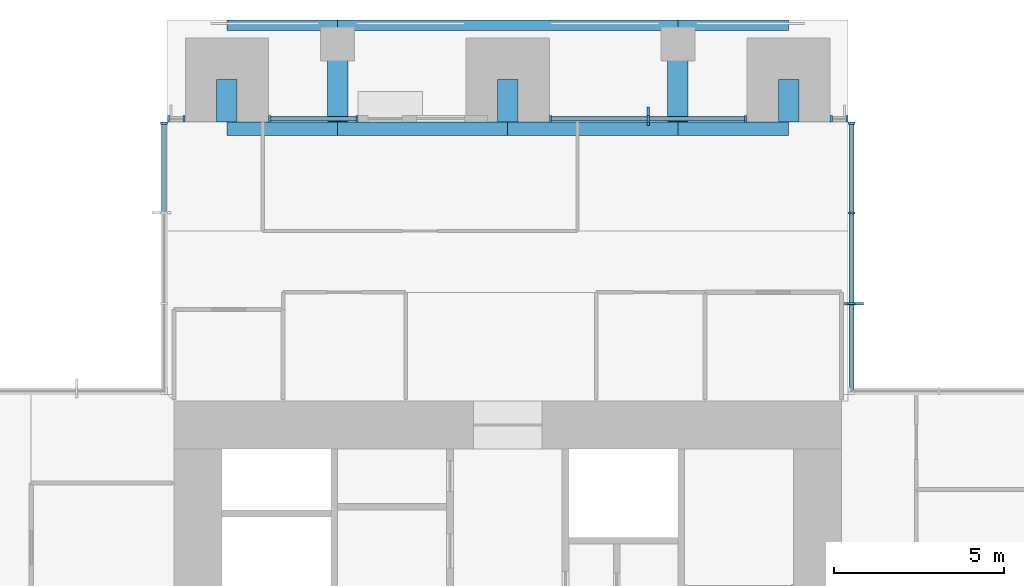
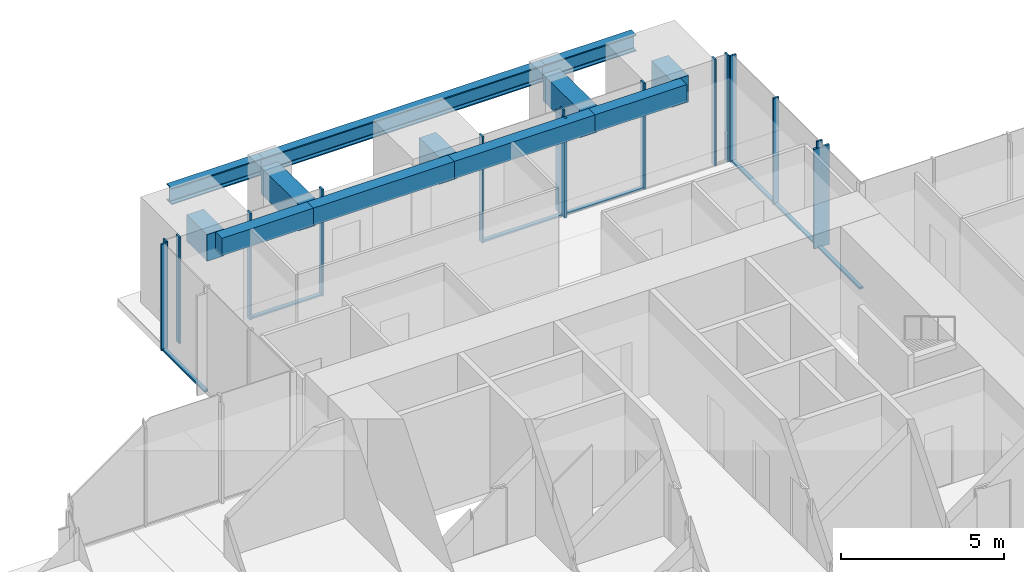
# One storey, part 5 of 17: 22 members, 12 beams, 6 elements without a shape of their own.
"""IFC4 building model written with IfcOpenShell, lengths in metres."""

from ifc_helpers import new_model, si_unit, direction, frame, origin, origin_2d, place, context, subcontext, project, spatial, rectangle, i_section, extrude, material, material_profile, profile_set, type_object, element, aggregate, save


model = new_model("IFC4")

# Units and contexts
model_context = context("Model", 3, precision=1e-05, world=origin(), true_north=direction((0.0, 1.0)))
body_context = subcontext(model_context, "Body", "Model", "MODEL_VIEW")
ifc_project = project(units=[si_unit("LENGTHUNIT", "METRE"), si_unit("AREAUNIT", "SQUARE_METRE"), si_unit("VOLUMEUNIT", "CUBIC_METRE"), si_unit("PLANEANGLEUNIT", "RADIAN"), si_unit("MASSUNIT", "GRAM", prefix="KILO")], contexts=[model_context])

# Site, building, storey
site_placement = place(None, origin())
site = spatial("IfcSite", under=ifc_project, at=site_placement, CompositionType="ELEMENT")
building_placement = place(site_placement, origin())
building = spatial("IfcBuilding", under=site, at=building_placement, Name="Svetlomir Tower", CompositionType="ELEMENT")
storey_placement = place(building_placement, frame((0.0, 0.0, 182.5)))
storey = spatial("IfcBuildingStorey", under=building, at=storey_placement, Name="L43", CompositionType="ELEMENT", Elevation=182.5)

# Curtain wall, member
ifc_material_1 = material(Name="Bronze anodised aluminium curtain wall", Category="aluminium")
curtain_wall_type = type_object("IfcCurtainWallType", Name="CURTAIN WALL CW1 TOWER OFFICE", PredefinedType="NOTDEFINED", material=ifc_material_1)
curtain_wall_1_placement = place(storey_placement, origin())
curtain_wall_1 = element("IfcCurtainWall", 1, at=curtain_wall_1_placement, inside=storey, type_object=curtain_wall_type, Name="Curtain wall CW1 L43", PredefinedType="NOTDEFINED")
ifc_material_2 = material(Name="Bronze anodised aluminium", Category="aluminium")
ifc_material_profile_1 = material_profile(ifc_material_2, rectangle(XDim=0.080078125, YDim=0.550048828125, at=origin_2d()), Name="FIN 80x550")
ifc_profile_set_1 = profile_set([ifc_material_profile_1], Name="Bronze anodised aluminium 6063-T6")
member_type_1 = type_object("IfcMemberType", Name="BRONZE FIN 80x550", PredefinedType="USERDEFINED", material=ifc_profile_set_1)
member_1_placement = place(storey_placement, frame((31.175048828125, 33.666748046875, 0.0), z_axis=(0.0, 0.0, 1.0), x_axis=(0.0, 1.0, 0.0)))
member_1 = element("IfcMember", 2, at=member_1_placement, type_object=member_type_1, Name="Bronze fin L43", ObjectType="FIN", PredefinedType="USERDEFINED", context=body_context, shape_type="SweptSolid", body=[
    extrude(rectangle(XDim=0.080078125, YDim=0.550048828125, at=origin_2d()), origin(), (0.0, 0.0, 1.0), 3.75),
])

curtain_wall_2_placement = place(storey_placement, origin())
curtain_wall_2 = element("IfcCurtainWall", 3, at=curtain_wall_2_placement, inside=storey, type_object=curtain_wall_type, Name="Curtain wall CW1 L43", PredefinedType="NOTDEFINED")
member_2_placement = place(storey_placement, frame((25.125, 39.175048828125, 0.0), z_axis=(0.0, 0.0, 1.0), x_axis=(1.0, 0.0, 0.0)))
member_2 = element("IfcMember", 4, at=member_2_placement, type_object=member_type_1, Name="Bronze fin L43", ObjectType="FIN", PredefinedType="USERDEFINED", context=body_context, shape_type="SweptSolid", body=[
    extrude(rectangle(XDim=0.080078125, YDim=0.550048828125, at=origin_2d()), origin(), (0.0, 0.0, 1.0), 3.75),
])

# Member
ifc_material_3 = material(Name="Bronze anodised aluminium", Category="aluminium")
ifc_material_profile_2 = material_profile(ifc_material_3, rectangle(XDim=0.06494140625, YDim=0.199951171875, at=origin_2d()), Name="AL 65x200")
ifc_profile_set_2 = profile_set([ifc_material_profile_2], Name="Bronze anodised aluminium 6063-T6")
member_type_2 = type_object("IfcMemberType", Name="CW1 MULLION 65x200", PredefinedType="MULLION", material=ifc_profile_set_2)
member_3_placement = place(storey_placement, frame((31.10009765625, 33.666748046875, 0.0), z_axis=(0.0, 0.0, 1.0), x_axis=(0.0, 1.0, 0.0)))
member_3 = element("IfcMember", 5, at=member_3_placement, type_object=member_type_2, Name="CW1 mullion 2", PredefinedType="MULLION", context=body_context, shape_type="SweptSolid", body=[
    extrude(rectangle(XDim=0.06494140625, YDim=0.199951171875, at=origin_2d()), origin(), (0.0, 0.0, 1.0), 4.0),
])

member_4_placement = place(storey_placement, frame((31.10009765625, 36.333251953125, 0.0), z_axis=(0.0, 0.0, 1.0), x_axis=(0.0, 1.0, 0.0)))
member_4 = element("IfcMember", 6, at=member_4_placement, type_object=member_type_2, Name="CW1 mullion 3", PredefinedType="MULLION", context=body_context, shape_type="SweptSolid", body=[
    extrude(rectangle(XDim=0.06494140625, YDim=0.199951171875, at=origin_2d()), origin(), (0.0, 0.0, 1.0), 4.0),
])

member_5_placement = place(storey_placement, frame((31.10009765625, 38.967529296875, 0.0), z_axis=(0.0, 0.0, 1.0), x_axis=(0.0, 1.0, 0.0)))
member_5 = element("IfcMember", 7, at=member_5_placement, type_object=member_type_2, Name="CW1 mullion 4", PredefinedType="MULLION", context=body_context, shape_type="SweptSolid", body=[
    extrude(rectangle(XDim=0.06494140625, YDim=0.199951171875, at=origin_2d()), origin(), (0.0, 0.0, 1.0), 4.0),
])

# Curtain wall, members
curtain_wall_3_placement = place(storey_placement, origin())
curtain_wall_3 = element("IfcCurtainWall", 8, at=curtain_wall_3_placement, inside=storey, type_object=curtain_wall_type, Name="Curtain wall CW1 L43", PredefinedType="NOTDEFINED")
member_6_placement = place(storey_placement, frame((30.967529296875, 39.10009765625, 0.0), z_axis=(0.0, 0.0, 1.0), x_axis=(-1.0, 0.0, 0.0)))
member_6 = element("IfcMember", 9, at=member_6_placement, type_object=member_type_2, Name="CW1 mullion 1", PredefinedType="MULLION", context=body_context, shape_type="SweptSolid", body=[
    extrude(rectangle(XDim=0.06494140625, YDim=0.199951171875, at=origin_2d()), origin(), (0.0, 0.0, 1.0), 4.0),
])
member_7_placement = place(storey_placement, frame((30.507568359375, 39.10009765625, 0.0), z_axis=(0.0, 0.0, 1.0), x_axis=(-1.0, 0.0, 0.0)))
member_7 = element("IfcMember", 10, at=member_7_placement, type_object=member_type_2, Name="CW1 mullion 2", PredefinedType="MULLION", context=body_context, shape_type="SweptSolid", body=[
    extrude(rectangle(XDim=0.06494140625, YDim=0.199951171875, at=origin_2d()), origin(), (0.0, 0.0, 1.0), 4.0),
])
aggregate(curtain_wall_3, [member_6, member_7])

# Member
member_8_placement = place(storey_placement, frame((27.992431640625, 39.10009765625, 0.0), z_axis=(0.0, 0.0, 1.0), x_axis=(-1.0, 0.0, 0.0)))
member_8 = element("IfcMember", 11, at=member_8_placement, type_object=member_type_2, Name="CW1 mullion 1", PredefinedType="MULLION", context=body_context, shape_type="SweptSolid", body=[
    extrude(rectangle(XDim=0.06494140625, YDim=0.199951171875, at=origin_2d()), origin(), (0.0, 0.0, 1.0), 4.0),
])

member_9_placement = place(storey_placement, frame((25.125, 39.10009765625, 0.0), z_axis=(0.0, 0.0, 1.0), x_axis=(-1.0, 0.0, 0.0)))
member_9 = element("IfcMember", 12, at=member_9_placement, type_object=member_type_2, Name="CW1 mullion 2", PredefinedType="MULLION", context=body_context, shape_type="SweptSolid", body=[
    extrude(rectangle(XDim=0.06494140625, YDim=0.199951171875, at=origin_2d()), origin(), (0.0, 0.0, 1.0), 4.0),
])

member_10_placement = place(storey_placement, frame((22.257568359375, 39.10009765625, 0.0), z_axis=(0.0, 0.0, 1.0), x_axis=(-1.0, 0.0, 0.0)))
member_10 = element("IfcMember", 13, at=member_10_placement, type_object=member_type_2, Name="CW1 mullion 3", PredefinedType="MULLION", context=body_context, shape_type="SweptSolid", body=[
    extrude(rectangle(XDim=0.06494140625, YDim=0.199951171875, at=origin_2d()), origin(), (0.0, 0.0, 1.0), 4.0),
])

# Curtain wall, members
curtain_wall_4_placement = place(storey_placement, origin())
curtain_wall_4 = element("IfcCurtainWall", 14, at=curtain_wall_4_placement, inside=storey, type_object=curtain_wall_type, Name="Curtain wall CW1 L43", PredefinedType="NOTDEFINED")
member_11_placement = place(storey_placement, frame((16.5673828125, 39.10009765625, 0.0), z_axis=(0.0, 0.0, 1.0), x_axis=(-1.0, 0.0, 0.0)))
member_11 = element("IfcMember", 15, at=member_11_placement, type_object=member_type_2, Name="CW1 mullion 1", PredefinedType="MULLION", context=body_context, shape_type="SweptSolid", body=[
    extrude(rectangle(XDim=0.06494140625, YDim=0.199951171875, at=origin_2d()), origin(), (0.0, 0.0, 1.0), 4.0),
])
member_12_placement = place(storey_placement, frame((14.007568359375, 39.10009765625, 0.0), z_axis=(0.0, 0.0, 1.0), x_axis=(-1.0, 0.0, 0.0)))
member_12 = element("IfcMember", 16, at=member_12_placement, type_object=member_type_2, Name="CW1 mullion 2", PredefinedType="MULLION", context=body_context, shape_type="SweptSolid", body=[
    extrude(rectangle(XDim=0.06494140625, YDim=0.199951171875, at=origin_2d()), origin(), (0.0, 0.0, 1.0), 4.0),
])

curtain_wall_5_placement = place(storey_placement, origin())
curtain_wall_5 = element("IfcCurtainWall", 17, at=curtain_wall_5_placement, inside=storey, type_object=curtain_wall_type, Name="Curtain wall CW1 L43", PredefinedType="NOTDEFINED")
member_13_placement = place(storey_placement, frame((11.492431640625, 39.10009765625, 0.0), z_axis=(0.0, 0.0, 1.0), x_axis=(-1.0, 0.0, 0.0)))
member_13 = element("IfcMember", 18, at=member_13_placement, type_object=member_type_2, Name="CW1 mullion 1", PredefinedType="MULLION", context=body_context, shape_type="SweptSolid", body=[
    extrude(rectangle(XDim=0.06494140625, YDim=0.199951171875, at=origin_2d()), origin(), (0.0, 0.0, 1.0), 4.0),
])
member_14_placement = place(storey_placement, frame((11.032470703125, 39.10009765625, 0.0), z_axis=(0.0, 0.0, 1.0), x_axis=(-1.0, 0.0, 0.0)))
member_14 = element("IfcMember", 19, at=member_14_placement, type_object=member_type_2, Name="CW1 mullion 2", PredefinedType="MULLION", context=body_context, shape_type="SweptSolid", body=[
    extrude(rectangle(XDim=0.06494140625, YDim=0.199951171875, at=origin_2d()), origin(), (0.0, 0.0, 1.0), 4.0),
])
aggregate(curtain_wall_5, [member_13, member_14])

# Curtain wall, member
curtain_wall_6_placement = place(storey_placement, origin())
curtain_wall_6 = element("IfcCurtainWall", 20, at=curtain_wall_6_placement, inside=storey, type_object=curtain_wall_type, Name="Curtain wall CW1 L43", PredefinedType="NOTDEFINED")
member_15_placement = place(storey_placement, frame((10.89990234375, 38.967529296875, 0.0), z_axis=(0.0, 0.0, 1.0), x_axis=(0.0, -1.0, 0.0)))
member_15 = element("IfcMember", 21, at=member_15_placement, type_object=member_type_2, Name="CW1 mullion 1", PredefinedType="MULLION", context=body_context, shape_type="SweptSolid", body=[
    extrude(rectangle(XDim=0.06494140625, YDim=0.199951171875, at=origin_2d()), origin(), (0.0, 0.0, 1.0), 4.0),
])

# Member
ifc_material_4 = material(Name="Bronze anodised aluminium", Category="aluminium")
ifc_material_profile_3 = material_profile(ifc_material_4, rectangle(XDim=0.139892578125, YDim=0.06494140625, at=origin_2d()), Name="AL 140x65")
ifc_profile_set_3 = profile_set([ifc_material_profile_3], Name="Bronze anodised aluminium 6063-T6")
member_type_3 = type_object("IfcMemberType", Name="CW1 TRANSOM 65x140", PredefinedType="USERDEFINED", material=ifc_profile_set_3)
member_16_placement = place(storey_placement, frame((31.10009765625, 31.06494140625, 0.032470703125), z_axis=(0.0, 1.0, 0.0), x_axis=(-1.0, 0.0, 0.0)))
member_16 = element("IfcMember", 22, at=member_16_placement, type_object=member_type_3, Name="CW1 transom 1.1", ObjectType="TRANSOM", PredefinedType="USERDEFINED", context=body_context, shape_type="SweptSolid", body=[
    extrude(rectangle(XDim=0.139892578125, YDim=0.06494140625, at=origin_2d()), origin(), (0.0, 0.0, 1.0), 2.5693359375),
])

member_17_placement = place(storey_placement, frame((31.10009765625, 33.69921875, 0.032470703125), z_axis=(0.0, 1.0, 0.0), x_axis=(-1.0, 0.0, 0.0)))
member_17 = element("IfcMember", 23, at=member_17_placement, type_object=member_type_3, Name="CW1 transom 2.1", ObjectType="TRANSOM", PredefinedType="USERDEFINED", context=body_context, shape_type="SweptSolid", body=[
    extrude(rectangle(XDim=0.139892578125, YDim=0.06494140625, at=origin_2d()), origin(), (0.0, 0.0, 1.0), 2.6015625),
])

member_18_placement = place(storey_placement, frame((31.10009765625, 36.36572265625, 0.032470703125), z_axis=(0.0, 1.0, 0.0), x_axis=(-1.0, 0.0, 0.0)))
member_18 = element("IfcMember", 24, at=member_18_placement, type_object=member_type_3, Name="CW1 transom 3.1", ObjectType="TRANSOM", PredefinedType="USERDEFINED", context=body_context, shape_type="SweptSolid", body=[
    extrude(rectangle(XDim=0.139892578125, YDim=0.06494140625, at=origin_2d()), origin(), (0.0, 0.0, 1.0), 2.5693359375),
])

aggregate(curtain_wall_1, [member_3, member_4, member_5, member_16, member_17, member_18, member_1])

member_19_placement = place(storey_placement, frame((27.9599609375, 39.10009765625, 0.032470703125), z_axis=(-1.0, 0.0, 0.0), x_axis=(0.0, -1.0, 0.0)))
member_19 = element("IfcMember", 25, at=member_19_placement, type_object=member_type_3, Name="CW1 transom 1.1", ObjectType="TRANSOM", PredefinedType="USERDEFINED", context=body_context, shape_type="SweptSolid", body=[
    extrude(rectangle(XDim=0.139892578125, YDim=0.06494140625, at=origin_2d()), origin(), (0.0, 0.0, 1.0), 2.802490234375),
])

member_20_placement = place(storey_placement, frame((25.092529296875, 39.10009765625, 0.032470703125), z_axis=(-1.0, 0.0, 0.0), x_axis=(0.0, -1.0, 0.0)))
member_20 = element("IfcMember", 26, at=member_20_placement, type_object=member_type_3, Name="CW1 transom 2.1", ObjectType="TRANSOM", PredefinedType="USERDEFINED", context=body_context, shape_type="SweptSolid", body=[
    extrude(rectangle(XDim=0.139892578125, YDim=0.06494140625, at=origin_2d()), origin(), (0.0, 0.0, 1.0), 2.802490234375),
])

aggregate(curtain_wall_2, [member_8, member_9, member_10, member_19, member_20, member_2])

member_21_placement = place(storey_placement, frame((16.534912109375, 39.10009765625, 0.032470703125), z_axis=(-1.0, 0.0, 0.0), x_axis=(0.0, -1.0, 0.0)))
member_21 = element("IfcMember", 27, at=member_21_placement, type_object=member_type_3, Name="CW1 transom 1.1", ObjectType="TRANSOM", PredefinedType="USERDEFINED", context=body_context, shape_type="SweptSolid", body=[
    extrude(rectangle(XDim=0.139892578125, YDim=0.06494140625, at=origin_2d()), origin(), (0.0, 0.0, 1.0), 2.494873046875),
])

aggregate(curtain_wall_4, [member_11, member_12, member_21])

member_22_placement = place(storey_placement, frame((10.89990234375, 38.93505859375, 0.032470703125), z_axis=(0.0, -1.0, 0.0), x_axis=(1.0, 0.0, 0.0)))
member_22 = element("IfcMember", 28, at=member_22_placement, type_object=member_type_3, Name="CW1 transom 1.1", ObjectType="TRANSOM", PredefinedType="USERDEFINED", context=body_context, shape_type="SweptSolid", body=[
    extrude(rectangle(XDim=0.139892578125, YDim=0.06494140625, at=origin_2d()), origin(), (0.0, 0.0, 1.0), 2.5693359375),
])

aggregate(curtain_wall_6, [member_15, member_22])

# Beams
ifc_material_5 = material(Name="Steel S355", Category="steel")
ifc_material_profile_4 = material_profile(ifc_material_5, i_section(OverallWidth=0.304931640625, OverallDepth=0.6201171875, WebThickness=0.02099609375, FlangeThickness=0.0400390625, FilletRadius=0.027099609375, at=origin_2d()), Name="HEM 600")
ifc_profile_set_4 = profile_set([ifc_material_profile_4], Name="Steel S355")
beam_type_1 = type_object("IfcBeamType", Name="EDGE BEAM HEM 600", PredefinedType="SPANDREL", material=ifc_profile_set_4)
beam_1_placement = place(storey_placement, frame((12.75, 41.847412109375, 3.43994140625), z_axis=(1.0, 0.0, 0.0), x_axis=(0.0, 1.0, 0.0)))
element("IfcBeam", 29, at=beam_1_placement, inside=storey, type_object=beam_type_1, Name="Edge beam 11/42 to 16/42 under L44", PredefinedType="SPANDREL", context=body_context, shape_type="SweptSolid", body=[
    extrude(i_section(OverallWidth=0.304931640625, OverallDepth=0.6201171875, WebThickness=0.02099609375, FlangeThickness=0.0400390625, FilletRadius=0.027099609375, at=origin_2d()), origin(), (0.0, 0.0, 1.0), 3.25),
])
beam_2_placement = place(storey_placement, frame((16.0, 41.847412109375, 3.43994140625), z_axis=(1.0, 0.0, 0.0), x_axis=(0.0, 1.0, 0.0)))
element("IfcBeam", 30, at=beam_2_placement, inside=storey, type_object=beam_type_1, Name="Edge beam 16/42 to 26/42 under L44", PredefinedType="SPANDREL", context=body_context, shape_type="SweptSolid", body=[
    extrude(i_section(OverallWidth=0.304931640625, OverallDepth=0.6201171875, WebThickness=0.02099609375, FlangeThickness=0.0400390625, FilletRadius=0.027099609375, at=origin_2d()), origin(), (0.0, 0.0, 1.0), 10.0),
])
beam_3_placement = place(storey_placement, frame((26.0, 41.847412109375, 3.43994140625), z_axis=(1.0, 0.0, 0.0), x_axis=(0.0, 1.0, 0.0)))
element("IfcBeam", 31, at=beam_3_placement, inside=storey, type_object=beam_type_1, Name="Edge beam 26/42 to 31/42 under L44", PredefinedType="SPANDREL", context=body_context, shape_type="SweptSolid", body=[
    extrude(i_section(OverallWidth=0.304931640625, OverallDepth=0.6201171875, WebThickness=0.02099609375, FlangeThickness=0.0400390625, FilletRadius=0.027099609375, at=origin_2d()), origin(), (0.0, 0.0, 1.0), 3.25),
])
ifc_material_6 = material(Name="Concrete C60/75", Category="concrete")
ifc_material_profile_5 = material_profile(ifc_material_6, rectangle(XDim=0.39990234375, YDim=0.64990234375, at=origin_2d()), Name="RC 400x650")
ifc_profile_set_5 = profile_set([ifc_material_profile_5], Name="Concrete C60/75")
beam_type_2 = type_object("IfcBeamType", Name="FACADE EDGE BEAM RC 400x650", PredefinedType="BEAM", material=ifc_profile_set_5)
beam_4_placement = place(storey_placement, frame((12.75, 38.800048828125, 3.425048828125), z_axis=(1.0, 0.0, 0.0), x_axis=(0.0, 1.0, 0.0)))
element("IfcBeam", 32, at=beam_4_placement, inside=storey, type_object=beam_type_2, Name="Facade edge beam N 11 to 16 under L44", PredefinedType="BEAM", context=body_context, shape_type="SweptSolid", body=[
    extrude(rectangle(XDim=0.39990234375, YDim=0.64990234375, at=origin_2d()), origin(), (0.0, 0.0, 1.0), 3.25),
])
for number, where, z_axis, x_axis, name in (
    (33, (16.0, 38.800048828125, 3.425048828125), (1.0, 0.0, 0.0), (0.0, 1.0, 0.0), "Facade edge beam N 16 to 21 under L44"),
    (34, (21.0, 38.800048828125, 3.425048828125), (1.0, 0.0, 0.0), (0.0, 1.0, 0.0), "Facade edge beam N 21 to 26 under L44"),
):
    element("IfcBeam", number, at=place(storey_placement, frame(where, z_axis=z_axis, x_axis=x_axis)), inside=storey, type_object=beam_type_2, Name=name, PredefinedType="BEAM", context=body_context, shape_type="SweptSolid", body=[
        extrude(rectangle(XDim=0.39990234375, YDim=0.64990234375, at=origin_2d()), origin(), (0.0, 0.0, 1.0), 5.0),
    ])
beam_5_placement = place(storey_placement, frame((26.0, 38.800048828125, 3.425048828125), z_axis=(1.0, 0.0, 0.0), x_axis=(0.0, 1.0, 0.0)))
element("IfcBeam", 35, at=beam_5_placement, inside=storey, type_object=beam_type_2, Name="Facade edge beam N 26 to 31 under L44", PredefinedType="BEAM", context=body_context, shape_type="SweptSolid", body=[
    extrude(rectangle(XDim=0.39990234375, YDim=0.64990234375, at=origin_2d()), origin(), (0.0, 0.0, 1.0), 3.25),
])
ifc_material_7 = material(Name="Concrete C60/75", Category="concrete")
ifc_material_profile_6 = material_profile(ifc_material_7, rectangle(XDim=0.60009765625, YDim=1.0, at=origin_2d()), Name="RC 600x1000")
ifc_profile_set_6 = profile_set([ifc_material_profile_6], Name="Concrete C60/75")
beam_type_3 = type_object("IfcBeamType", Name="LOGGIA LINK BEAM RC 600x1000", PredefinedType="BEAM", material=ifc_profile_set_6)
beam_6_placement = place(storey_placement, frame((12.75, 40.25, 3.25), z_axis=(0.0, -1.0, 0.0), x_axis=(1.0, 0.0, 0.0)))
element("IfcBeam", 36, at=beam_6_placement, inside=storey, type_object=beam_type_3, Name="Loggia link beam N 11 under L44", PredefinedType="BEAM", context=body_context, shape_type="SweptSolid", body=[
    extrude(rectangle(XDim=0.60009765625, YDim=1.0, at=origin_2d()), origin(), (0.0, 0.0, 1.0), 1.25),
])
beam_7_placement = place(storey_placement, frame((16.0, 41.300048828125, 3.25), z_axis=(0.0, -1.0, 0.0), x_axis=(1.0, 0.0, 0.0)))
element("IfcBeam", 37, at=beam_7_placement, inside=storey, type_object=beam_type_3, Name="Loggia link beam N 16 under L44", PredefinedType="BEAM", context=body_context, shape_type="SweptSolid", body=[
    extrude(rectangle(XDim=0.60009765625, YDim=1.0, at=origin_2d()), origin(), (0.0, 0.0, 1.0), 2.300048828125),
])
beam_8_placement = place(storey_placement, frame((21.0, 40.25, 3.25), z_axis=(0.0, -1.0, 0.0), x_axis=(1.0, 0.0, 0.0)))
element("IfcBeam", 38, at=beam_8_placement, inside=storey, type_object=beam_type_3, Name="Loggia link beam N 21 under L44", PredefinedType="BEAM", context=body_context, shape_type="SweptSolid", body=[
    extrude(rectangle(XDim=0.60009765625, YDim=1.0, at=origin_2d()), origin(), (0.0, 0.0, 1.0), 1.25),
])
beam_9_placement = place(storey_placement, frame((26.0, 41.300048828125, 3.25), z_axis=(0.0, -1.0, 0.0), x_axis=(1.0, 0.0, 0.0)))
element("IfcBeam", 39, at=beam_9_placement, inside=storey, type_object=beam_type_3, Name="Loggia link beam N 26 under L44", PredefinedType="BEAM", context=body_context, shape_type="SweptSolid", body=[
    extrude(rectangle(XDim=0.60009765625, YDim=1.0, at=origin_2d()), origin(), (0.0, 0.0, 1.0), 2.300048828125),
])
beam_10_placement = place(storey_placement, frame((29.25, 40.25, 3.25), z_axis=(0.0, -1.0, 0.0), x_axis=(1.0, 0.0, 0.0)))
element("IfcBeam", 40, at=beam_10_placement, inside=storey, type_object=beam_type_3, Name="Loggia link beam N 31 under L44", PredefinedType="BEAM", context=body_context, shape_type="SweptSolid", body=[
    extrude(rectangle(XDim=0.60009765625, YDim=1.0, at=origin_2d()), origin(), (0.0, 0.0, 1.0), 1.25),
])

save(model, "model.ifc")
